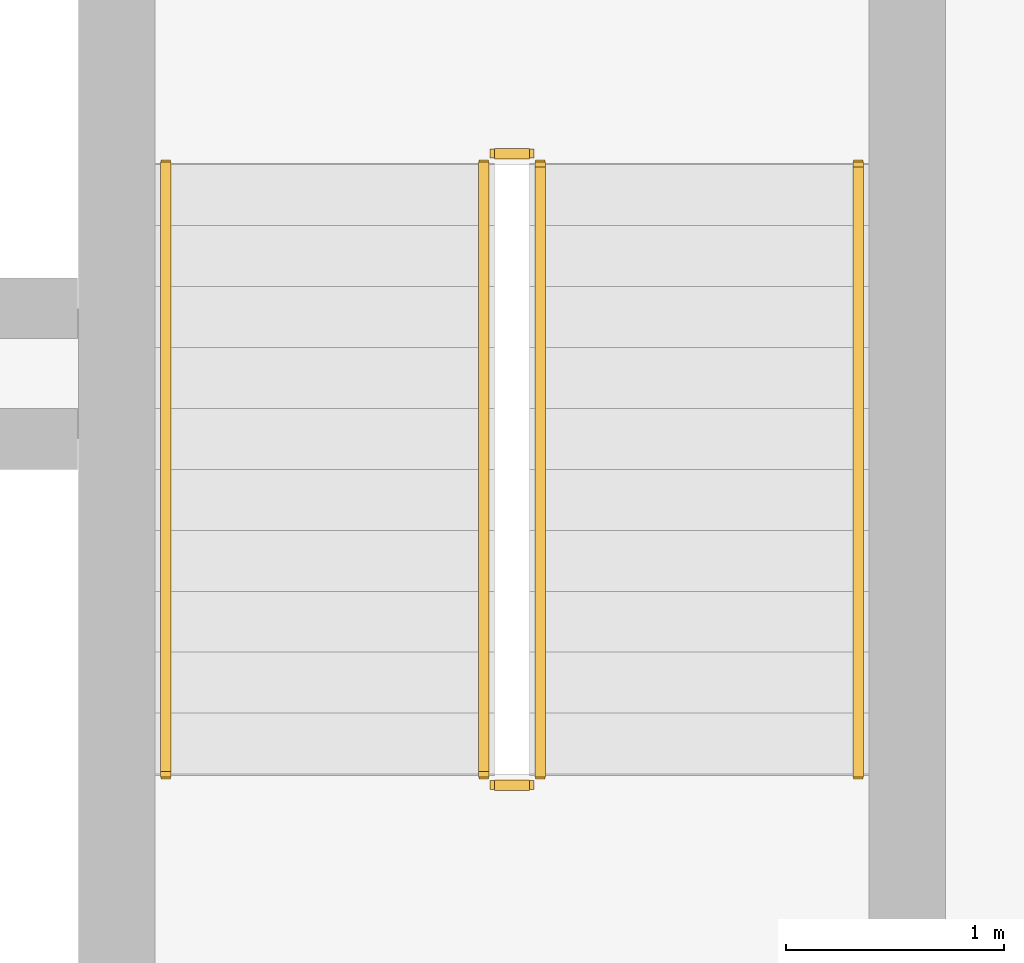
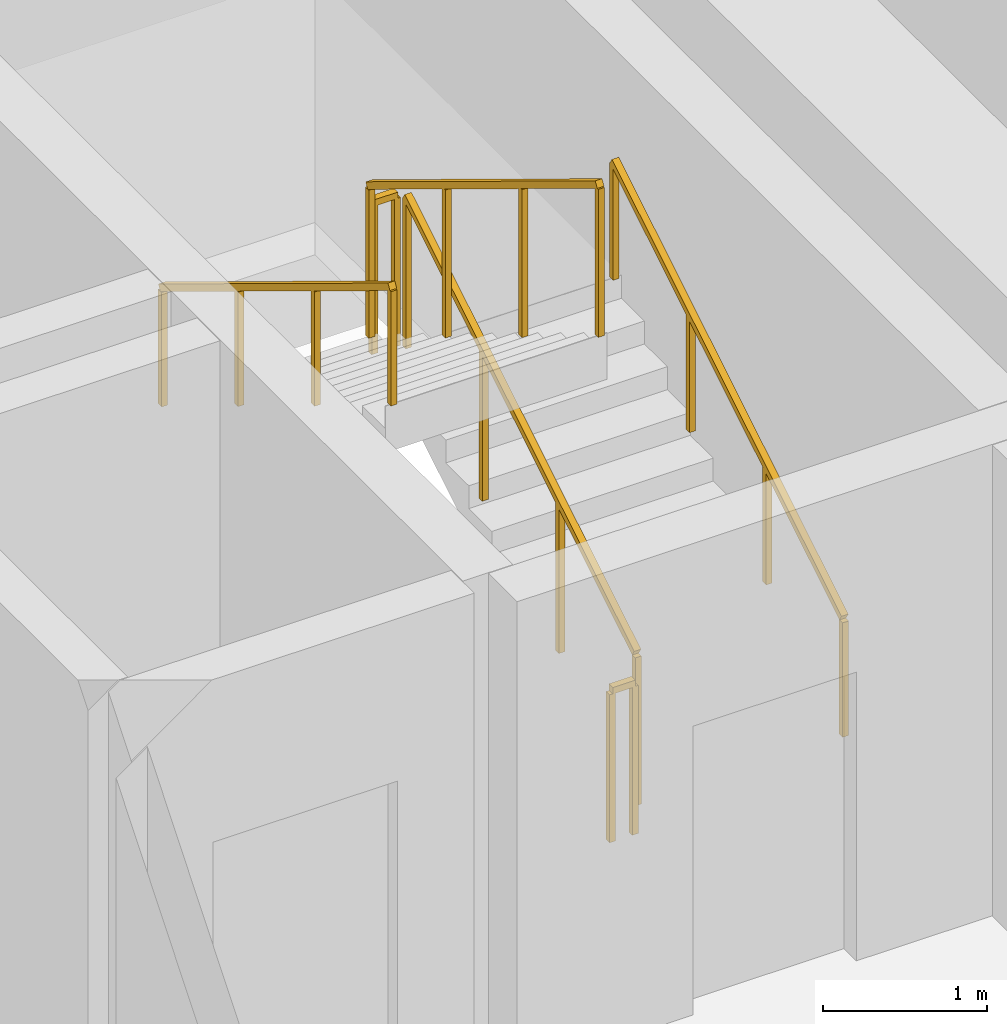
# One storey, part 15 of 15: 6 railings.
"""IFC4 building model written with IfcOpenShell, lengths in metres."""

from ifc_helpers import new_model, si_unit, direction, frame, origin, origin_2d, place, context, subcontext, project, spatial, rectangle, extrude, material, type_object, element, save


model = new_model("IFC4")

# Units and contexts
model_context = context("Model", 3, precision=1e-05, world=origin(), true_north=direction((0.0, 1.0)))
body_context = subcontext(model_context, "Body", "Model", "MODEL_VIEW")
ifc_project = project(units=[si_unit("LENGTHUNIT", "METRE"), si_unit("AREAUNIT", "SQUARE_METRE"), si_unit("VOLUMEUNIT", "CUBIC_METRE"), si_unit("PLANEANGLEUNIT", "RADIAN"), si_unit("MASSUNIT", "GRAM", prefix="KILO")], contexts=[model_context])

# Site, building, storey
site_placement = place(None, origin())
site = spatial("IfcSite", under=ifc_project, at=site_placement, CompositionType="ELEMENT")
building_placement = place(site_placement, origin())
building = spatial("IfcBuilding", under=site, at=building_placement, Name="Kaelvorn Grand Hotel", CompositionType="ELEMENT")
storey_placement = place(building_placement, frame((0.0, 0.0, 104.300048828125)))
storey = spatial("IfcBuildingStorey", under=building, at=storey_placement, Name="L24", CompositionType="ELEMENT", Elevation=104.300048828125)

# Railings
ifc_material = material(Name="Stainless Steel", Category="steel")
railing_type_1 = type_object("IfcRailingType", Name="RL-HANDRAIL-900", PredefinedType="HANDRAIL", material=ifc_material)
railing_1_placement = place(storey_placement, frame((66.550048828125, 41.760009765625, 0.17041015625)))
element("IfcRailing", 1, at=railing_1_placement, inside=storey, type_object=railing_type_1, Name="L24 ST3 stair handrail 1", PredefinedType="HANDRAIL", context=body_context, shape_type="SweptSolid", body=[
    extrude(rectangle(XDim=0.048095703125, YDim=0.048095703125, at=origin_2d()), frame((0.0, 0.0, 0.8759765625), z_axis=(0.0, 0.854169791009, 0.51999420009), x_axis=(-1.0, 0.0, 0.0)), (0.0, 0.0, 1.0), 3.278076171875),
    extrude(rectangle(XDim=0.0419921875, YDim=0.0419921875, at=origin_2d()), origin(), (0.0, 0.0, 1.0), 0.851806640625),
    extrude(rectangle(XDim=0.0419921875, YDim=0.0419921875, at=origin_2d()), frame((0.0, 0.933349609375, 0.568115234375)), (0.0, 0.0, 1.0), 0.851806640625),
    extrude(rectangle(XDim=0.0419921875, YDim=0.0419921875, at=origin_2d()), frame((0.0, 1.86669921875, 1.136474609375)), (0.0, 0.0, 1.0), 0.851806640625),
    extrude(rectangle(XDim=0.0419921875, YDim=0.0419921875, at=origin_2d()), frame((0.0, 2.800048828125, 1.70458984375)), (0.0, 0.0, 1.0), 0.851806640625),
])
railing_2_placement = place(storey_placement, frame((63.3701171875, 44.56005859375, 2.04541015625)))
element("IfcRailing", 2, at=railing_2_placement, inside=storey, type_object=railing_type_1, Name="L24 ST3 stair handrail 2", PredefinedType="HANDRAIL", context=body_context, shape_type="SweptSolid", body=[
    extrude(rectangle(XDim=0.048095703125, YDim=0.048095703125, at=origin_2d()), frame((0.0, 0.0, 0.8759765625), z_axis=(0.0, -0.854169791009, 0.51999420009), x_axis=(1.0, 0.0, 0.0)), (0.0, 0.0, 1.0), 3.278076171875),
    extrude(rectangle(XDim=0.0419921875, YDim=0.0419921875, at=origin_2d()), origin(), (0.0, 0.0, 1.0), 0.851806640625),
    extrude(rectangle(XDim=0.0419921875, YDim=0.0419921875, at=origin_2d()), frame((0.0, -0.933349609375, 0.568115234375)), (0.0, 0.0, 1.0), 0.851806640625),
    extrude(rectangle(XDim=0.0419921875, YDim=0.0419921875, at=origin_2d()), frame((0.0, -1.86669921875, 1.136474609375)), (0.0, 0.0, 1.0), 0.851806640625),
    extrude(rectangle(XDim=0.0419921875, YDim=0.0419921875, at=origin_2d()), frame((0.0, -2.800048828125, 1.70458984375)), (0.0, 0.0, 1.0), 0.851806640625),
])
railing_type_2 = type_object("IfcRailingType", Name="RL-STAIR-GUARD-1150", PredefinedType="BALUSTRADE", material=ifc_material)
railing_3_placement = place(storey_placement, frame((65.090087890625, 41.760009765625, 0.17041015625)))
element("IfcRailing", 3, at=railing_3_placement, inside=storey, type_object=railing_type_2, Name="L24 ST3 stair guard 1", PredefinedType="BALUSTRADE", context=body_context, shape_type="SweptSolid", body=[
    extrude(rectangle(XDim=0.048095703125, YDim=0.048095703125, at=origin_2d()), frame((0.0, 0.0, 1.1259765625), z_axis=(0.0, 0.854169791009, 0.51999420009), x_axis=(-1.0, 0.0, 0.0)), (0.0, 0.0, 1.0), 3.278076171875),
    extrude(rectangle(XDim=0.0419921875, YDim=0.0419921875, at=origin_2d()), origin(), (0.0, 0.0, 1.0), 1.101806640625),
    extrude(rectangle(XDim=0.0419921875, YDim=0.0419921875, at=origin_2d()), frame((0.0, 0.933349609375, 0.568115234375)), (0.0, 0.0, 1.0), 1.101806640625),
    extrude(rectangle(XDim=0.0419921875, YDim=0.0419921875, at=origin_2d()), frame((0.0, 1.86669921875, 1.136474609375)), (0.0, 0.0, 1.0), 1.101806640625),
    extrude(rectangle(XDim=0.0419921875, YDim=0.0419921875, at=origin_2d()), frame((0.0, 2.800048828125, 1.70458984375)), (0.0, 0.0, 1.0), 1.101806640625),
])
railing_4_placement = place(storey_placement, frame((65.0400390625, 44.610107421875, 1.875)))
element("IfcRailing", 4, at=railing_4_placement, inside=storey, type_object=railing_type_2, Name="L24 ST3 stair guard 2", PredefinedType="BALUSTRADE", context=body_context, shape_type="SweptSolid", body=[
    extrude(rectangle(XDim=0.048095703125, YDim=0.048095703125, at=origin_2d()), frame((0.0, 0.0, 1.1259765625), z_axis=(-1.0, 0.0, 0.0), x_axis=(0.0, -1.0, 0.0)), (0.0, 0.0, 1.0), 0.16015625),
    extrude(rectangle(XDim=0.0419921875, YDim=0.0419921875, at=origin_2d()), origin(), (0.0, 0.0, 1.0), 1.101806640625),
    extrude(rectangle(XDim=0.0419921875, YDim=0.0419921875, at=origin_2d()), frame((-0.16015625, 0.0, 0.0)), (0.0, 0.0, 1.0), 1.101806640625),
])
railing_5_placement = place(storey_placement, frame((64.830078125, 44.56005859375, 2.04541015625)))
element("IfcRailing", 5, at=railing_5_placement, inside=storey, type_object=railing_type_2, Name="L24 ST3 stair guard 3", PredefinedType="BALUSTRADE", context=body_context, shape_type="SweptSolid", body=[
    extrude(rectangle(XDim=0.048095703125, YDim=0.048095703125, at=origin_2d()), frame((0.0, 0.0, 1.1259765625), z_axis=(0.0, -0.854169791009, 0.51999420009), x_axis=(1.0, 0.0, 0.0)), (0.0, 0.0, 1.0), 3.278076171875),
    extrude(rectangle(XDim=0.0419921875, YDim=0.0419921875, at=origin_2d()), origin(), (0.0, 0.0, 1.0), 1.101806640625),
    extrude(rectangle(XDim=0.0419921875, YDim=0.0419921875, at=origin_2d()), frame((0.0, -0.933349609375, 0.568115234375)), (0.0, 0.0, 1.0), 1.101806640625),
    extrude(rectangle(XDim=0.0419921875, YDim=0.0419921875, at=origin_2d()), frame((0.0, -1.86669921875, 1.136474609375)), (0.0, 0.0, 1.0), 1.101806640625),
    extrude(rectangle(XDim=0.0419921875, YDim=0.0419921875, at=origin_2d()), frame((0.0, -2.800048828125, 1.70458984375)), (0.0, 0.0, 1.0), 1.101806640625),
])
railing_6_placement = place(storey_placement, frame((65.0400390625, 41.7099609375, 0.0)))
element("IfcRailing", 6, at=railing_6_placement, inside=storey, type_object=railing_type_2, Name="L24 ST3 stair guard 4", PredefinedType="BALUSTRADE", context=body_context, shape_type="SweptSolid", body=[
    extrude(rectangle(XDim=0.048095703125, YDim=0.048095703125, at=origin_2d()), frame((0.0, 0.0, 1.1259765625), z_axis=(-1.0, 0.0, 0.0), x_axis=(0.0, -1.0, 0.0)), (0.0, 0.0, 1.0), 0.16015625),
    extrude(rectangle(XDim=0.0419921875, YDim=0.0419921875, at=origin_2d()), origin(), (0.0, 0.0, 1.0), 1.101806640625),
    extrude(rectangle(XDim=0.0419921875, YDim=0.0419921875, at=origin_2d()), frame((-0.16015625, 0.0, 0.0)), (0.0, 0.0, 1.0), 1.101806640625),
])

save(model, "model.ifc")
